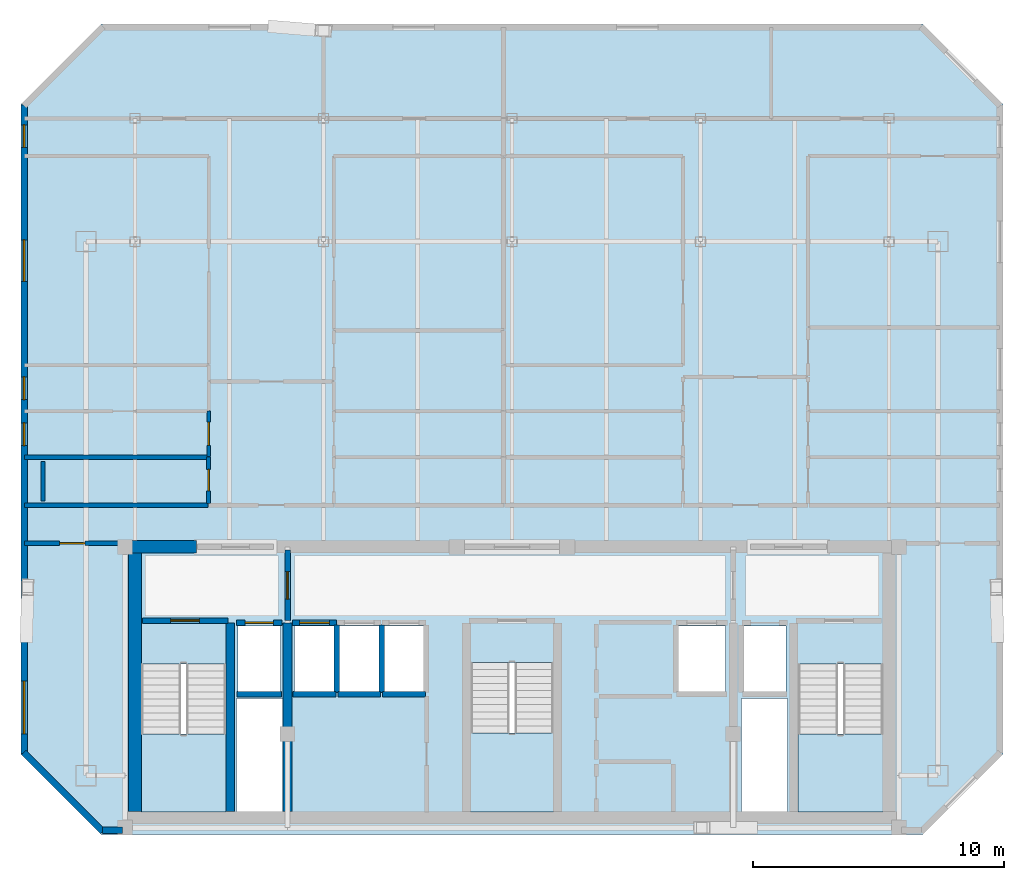
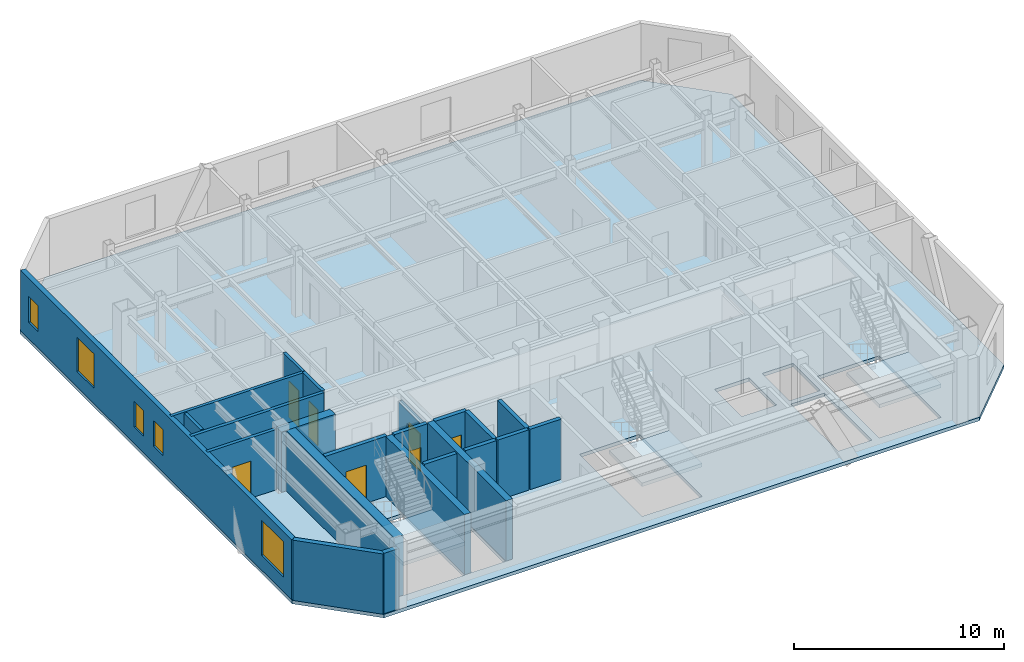
# One storey, part 2 of 7: 23 walls, 7 doors, 5 windows, 4 slabs, 12 openings, 3 elements without a shape of their own.
"""IFC4 building model written with IfcOpenShell, lengths in metres."""

from ifc_helpers import new_model, si_unit, direction, frame, frame_2d, origin, place, context, subcontext, project, spatial, polyline, rectangle, outline, extrude, material, layer, layer_set, type_object, element, fill, aggregate, save


model = new_model("IFC4")

# Units and contexts
model_context = context("Model", 3, precision=1e-05, world=origin(), true_north=direction((0.0, 1.0)))
body_context = subcontext(model_context, "Body", "Model", "MODEL_VIEW")
ifc_project = project(units=[si_unit("LENGTHUNIT", "METRE"), si_unit("AREAUNIT", "SQUARE_METRE"), si_unit("VOLUMEUNIT", "CUBIC_METRE"), si_unit("PLANEANGLEUNIT", "RADIAN"), si_unit("MASSUNIT", "GRAM", prefix="KILO")], contexts=[model_context])

# Site, building, storey
site_placement = place(None, origin())
site = spatial("IfcSite", under=ifc_project, at=site_placement, CompositionType="ELEMENT")
building_placement = place(site_placement, origin())
building = spatial("IfcBuilding", under=site, at=building_placement, Name="Ventersveld Concourse Tower", CompositionType="ELEMENT")
storey_placement = place(building_placement, frame((0.0, 0.0, 328.449951171875)))
storey = spatial("IfcBuildingStorey", under=building, at=storey_placement, Name="L81", CompositionType="ELEMENT", Elevation=328.449951171875)

# Slab
ifc_material_1 = material(Name="Concrete C50/60", Category="concrete")
ifc_layer_1 = layer(ifc_material_1, 0.199951171875)
ifc_layer_set_1 = layer_set([ifc_layer_1], Name="Concrete C50/60")
slab_type_1 = type_object("IfcSlabType", Name="SL-FLR-200", PredefinedType="FLOOR", material=ifc_layer_set_1)
slab_1_placement = place(storey_placement, frame((0.0, 0.0, -0.199951171875)))
element("IfcSlab", 1, at=slab_1_placement, inside=storey, type_object=slab_type_1, Name="L81 Composite Floor Slab", PredefinedType="FLOOR", context=body_context, shape_type="SweptSolid", body=[
    extrude(outline(polyline([(12.40625, 0.0), (45.09375, 0.0), (48.293701171875, 3.199951171875), (48.293701171875, 29.06494140625), (45.09375, 32.264892578125), (12.40625, 32.264892578125), (9.206298828125, 29.06494140625), (9.206298828125, 3.199951171875), (12.40625, 0.0)]), holes=[polyline([(13.97998046875, 6.794921875), (13.97998046875, 0.89990234375), (17.3798828125, 0.89990234375), (17.3798828125, 6.794921875), (13.97998046875, 6.794921875)]), polyline([(40.1201171875, 6.794921875), (40.1201171875, 0.89990234375), (43.52001953125, 0.89990234375), (43.52001953125, 6.794921875), (40.1201171875, 6.794921875)]), polyline([(27.10009765625, 6.844970703125), (27.10009765625, 0.89990234375), (30.39990234375, 0.89990234375), (30.39990234375, 6.844970703125), (27.10009765625, 6.844970703125)]), polyline([(17.85009765625, 5.699951171875), (19.530029296875, 5.699951171875), (19.530029296875, 8.300048828125), (17.85009765625, 8.300048828125), (17.85009765625, 5.699951171875)]), polyline([(37.969970703125, 5.699951171875), (39.64990234375, 5.699951171875), (39.64990234375, 8.300048828125), (37.969970703125, 8.300048828125), (37.969970703125, 5.699951171875)]), polyline([(35.35009765625, 5.699951171875), (37.25, 5.699951171875), (37.25, 8.300048828125), (35.35009765625, 8.300048828125), (35.35009765625, 5.699951171875)]), polyline([(20.090087890625, 5.699951171875), (21.68994140625, 5.699951171875), (21.68994140625, 8.300048828125), (20.090087890625, 8.300048828125), (20.090087890625, 5.699951171875)]), polyline([(21.8701171875, 5.699951171875), (23.469970703125, 5.699951171875), (23.469970703125, 8.300048828125), (21.8701171875, 8.300048828125), (21.8701171875, 5.699951171875)]), polyline([(23.64990234375, 5.699951171875), (25.25, 5.699951171875), (25.25, 8.300048828125), (23.64990234375, 8.300048828125), (23.64990234375, 5.699951171875)]), polyline([(17.780029296875, 0.919921875), (19.6201171875, 0.919921875), (19.6201171875, 5.419921875), (17.780029296875, 5.419921875), (17.780029296875, 0.919921875)]), polyline([(37.8798828125, 0.919921875), (39.719970703125, 0.919921875), (39.719970703125, 5.419921875), (37.8798828125, 5.419921875), (37.8798828125, 0.919921875)])]), origin(), (0.0, 0.0, 1.0), 0.199951171875),
])

# Stair, slab
stair_type_1 = type_object("IfcStairType", Name="ST-DOG-160", PredefinedType="HALF_TURN_STAIR", material=ifc_material_1)
stair_1_placement = place(storey_placement, origin())
stair_1 = element("IfcStair", 2, at=stair_1_placement, inside=storey, type_object=stair_type_1, Name="L81 Protected Tower Escape Stair ST-01", PredefinedType="HALF_TURN_STAIR")
ifc_layer_2 = layer(ifc_material_1, 0.199951171875)
ifc_layer_set_2 = layer_set([ifc_layer_2], Name="Concrete C50/60")
slab_type_2 = type_object("IfcSlabType", Name="SL-LND-200", PredefinedType="LANDING", material=ifc_layer_set_2)
slab_2_placement = place(storey_placement, frame((0.0, 0.0, 1.72509765625)))
slab_2 = element("IfcSlab", 3, at=slab_2_placement, type_object=slab_type_2, Name="ST-01 landing 1", PredefinedType="LANDING", context=body_context, shape_type="SweptSolid", body=[
    extrude(outline(polyline([(13.97998046875, 4.0), (13.97998046875, 0.89990234375), (17.3798828125, 0.89990234375), (17.3798828125, 4.0), (13.97998046875, 4.0)])), origin(), (0.0, 0.0, 1.0), 0.199951171875),
])
aggregate(stair_1, [slab_2])

stair_2_placement = place(storey_placement, origin())
stair_2 = element("IfcStair", 4, at=stair_2_placement, inside=storey, type_object=stair_type_1, Name="L81 Protected Tower Escape Stair ST-02", PredefinedType="HALF_TURN_STAIR")
slab_3_placement = place(storey_placement, frame((0.0, 0.0, 1.72509765625)))
slab_3 = element("IfcSlab", 5, at=slab_3_placement, type_object=slab_type_2, Name="ST-02 landing 1", PredefinedType="LANDING", context=body_context, shape_type="SweptSolid", body=[
    extrude(outline(polyline([(40.1201171875, 4.0), (40.1201171875, 0.89990234375), (43.52001953125, 0.89990234375), (43.52001953125, 4.0), (40.1201171875, 4.0)])), origin(), (0.0, 0.0, 1.0), 0.199951171875),
])
aggregate(stair_2, [slab_3])

stair_type_2 = type_object("IfcStairType", Name="ST-DOG-155", PredefinedType="HALF_TURN_STAIR", material=ifc_material_1)
stair_3_placement = place(storey_placement, origin())
stair_3 = element("IfcStair", 6, at=stair_3_placement, inside=storey, type_object=stair_type_2, Name="L81 Protected Central Core Escape Stair ST-03", PredefinedType="HALF_TURN_STAIR")
slab_4_placement = place(storey_placement, frame((0.0, 0.0, 1.72509765625)))
slab_4 = element("IfcSlab", 7, at=slab_4_placement, type_object=slab_type_2, Name="ST-03 landing 1", PredefinedType="LANDING", context=body_context, shape_type="SweptSolid", body=[
    extrude(outline(polyline([(27.10009765625, 4.050048828125), (27.10009765625, 0.89990234375), (30.39990234375, 0.89990234375), (30.39990234375, 4.050048828125), (27.10009765625, 4.050048828125)])), origin(), (0.0, 0.0, 1.0), 0.199951171875),
])
aggregate(stair_3, [slab_4])

# Walls
ifc_layer_3 = layer(ifc_material_1, 0.35009765625)
ifc_layer_set_3 = layer_set([ifc_layer_3], Name="Concrete C50/60")
wall_type_1 = type_object("IfcWallType", Name="WL-CORE-350U", PredefinedType="SHEAR", material=ifc_layer_set_3)
for number, where, z_axis, x_axis, name in (
    (8, (17.5400390625, 0.919921875, 0.0), (0.0, 0.0, 1.0), (0.0, 1.0, 0.0), "L81 Core Internal Shear Web W-ST1-E"),
    (9, (19.820068359375, 0.919921875, 0.0), (0.0, 0.0, 1.0), (0.0, 1.0, 0.0), "L81 Core Internal Shear Web W-FF1-E"),
):
    element("IfcWall", number, at=place(storey_placement, frame(where, z_axis=z_axis, x_axis=x_axis)), inside=storey, type_object=wall_type_1, Name=name, PredefinedType="SHEAR", context=body_context, shape_type="SweptSolid", body=[
        extrude(rectangle(XDim=7.5, YDim=0.35009765625, at=frame_2d((3.75, 0.0))), origin(), (0.0, 0.0, 1.0), 3.5),
    ])
ifc_layer_4 = layer(ifc_material_1, 0.5)
ifc_layer_set_4 = layer_set([ifc_layer_4], Name="Concrete C50/60")
wall_type_2 = type_object("IfcWallType", Name="WL-CORE-500", PredefinedType="SHEAR", material=ifc_layer_set_4)
wall_1_placement = place(storey_placement, frame((13.75, 0.919921875, 0.0), z_axis=(0.0, 0.0, 1.0), x_axis=(0.0, 1.0, 0.0)))
element("IfcWall", 10, at=wall_1_placement, inside=storey, type_object=wall_type_2, Name="L81 Rear Core West Shear Wall", PredefinedType="SHEAR", context=body_context, shape_type="SweptSolid", body=[
    extrude(rectangle(XDim=10.530029296875, YDim=0.5, at=frame_2d((5.26513671875, 0.0))), origin(), (0.0, 0.0, 1.0), 3.5),
])
wall_2_placement = place(storey_placement, frame((13.25, 11.449951171875, 0.0), z_axis=(0.0, 0.0, 1.0), x_axis=(1.0, 0.0, 0.0)))
element("IfcWall", 11, at=wall_2_placement, inside=storey, type_object=wall_type_2, Name="L81 Rear Core North Shear Wall NW", PredefinedType="SHEAR", context=body_context, shape_type="SweptSolid", body=[
    extrude(rectangle(XDim=2.949951171875, YDim=0.5, at=frame_2d((1.47509765625, 0.0))), origin(), (0.0, 0.0, 1.0), 3.5),
])

# Wall, opening, door
ifc_material_2 = material(Name="Fire-rated autoclaved aerated masonry blockwork", Category="masonry")
ifc_layer_5 = layer(ifc_material_2, 0.179931640625)
ifc_layer_set_5 = layer_set([ifc_layer_5], Name="Fire-rated autoclaved aerated masonry blockwork")
wall_type_3 = type_object("IfcWallType", Name="WL-CORR-180", PredefinedType="PARTITIONING", material=ifc_layer_set_5)
wall_3_placement = place(storey_placement, frame((9.355712890625, 11.60009765625, 0.0), z_axis=(0.0, 0.0, 1.0), x_axis=(1.0, 0.0, 0.0)))
wall_3 = element("IfcWall", 12, at=wall_3_placement, inside=storey, type_object=wall_type_3, Name="L81 Interior Partition SP-L81-SW-GAL-SP-L81-COR", PredefinedType="PARTITIONING", context=body_context, shape_type="SweptSolid", body=[
    extrude(rectangle(XDim=3.789306640625, YDim=0.179931640625, at=frame_2d((1.89453125, 0.0))), origin(), (0.0, 0.0, 1.0), 3.5),
])
opening_1_placement = place(wall_3_placement, frame((1.39453125, 0.0, 0.0)))
opening_1 = element("IfcOpeningElement", 13, at=opening_1_placement, cuts=wall_3, Name="Opening FD3", PredefinedType="OPENING", context=body_context, shape_type="SweptSolid", body=[
    extrude(rectangle(XDim=1.0, YDim=2.14990234375, at=frame_2d((0.5, 1.074951171875))), frame((0.0, 0.10009765625, 0.0), z_axis=(0.0, -1.0, 0.0), x_axis=(1.0, 0.0, 0.0)), (0.0, 0.0, 1.0), 0.199951171875),
])
ifc_material_3 = material(Name="Solid-core hardwood veneer timber", Category="wood")
door_type_1 = type_object("IfcDoorType", Name="DR-FLAT-100", OperationType="NOTDEFINED", PredefinedType="DOOR", material=ifc_material_3)
door_1_placement = place(opening_1_placement, origin())
door_1 = element("IfcDoor", 14, at=door_1_placement, inside=storey, type_object=door_type_1, Name="L81 Interior Door SP-L81-SW-GAL to SP-L81-COR (D-L81-3678)", OperationType="SINGLE_SWING_RIGHT", OverallHeight=2.14990234375, OverallWidth=1.0, PredefinedType="DOOR", context=body_context, shape_type="SweptSolid", body=[
    extrude(rectangle(XDim=1.0, YDim=2.14990234375, at=frame_2d((0.5, 1.074951171875))), frame((0.0, 0.02490234375, 0.0), z_axis=(0.0, -1.0, 0.0), x_axis=(1.0, 0.0, 0.0)), (0.0, 0.0, 1.0), 0.050048828125),
])
fill(opening_1, door_1)

# Walls
wall_4_placement = place(storey_placement, frame((9.355712890625, 13.114990234375, 0.0), z_axis=(0.0, 0.0, 1.0), x_axis=(1.0, 0.0, 0.0)))
element("IfcWall", 15, at=wall_4_placement, inside=storey, type_object=wall_type_3, Name="L81 Interior Partition SP-L81-COR-SP-L81-81N1-BATH", PredefinedType="PARTITIONING", context=body_context, shape_type="SweptSolid", body=[
    extrude(rectangle(XDim=7.2890625, YDim=0.179931640625, at=frame_2d((3.64453125, 0.0))), origin(), (0.0, 0.0, 1.0), 3.5),
])
ifc_layer_6 = layer(ifc_material_2, 0.219970703125)
ifc_layer_set_6 = layer_set([ifc_layer_6], Name="Fire-rated autoclaved aerated masonry blockwork")
wall_type_4 = type_object("IfcWallType", Name="WL-HOIST-220", PredefinedType="SOLIDWALL", material=ifc_layer_set_6)
wall_5_placement = place(storey_placement, frame((17.800048828125, 5.590087890625, 0.0), z_axis=(0.0, 0.0, 1.0), x_axis=(1.0, 0.0, 0.0)))
element("IfcWall", 16, at=wall_5_placement, inside=storey, type_object=wall_type_4, Name="L81 Lift Hoistway Back Wall FFL-01", PredefinedType="SOLIDWALL", context=body_context, shape_type="SweptSolid", body=[
    extrude(rectangle(XDim=1.780029296875, YDim=0.219970703125, at=frame_2d((0.89013671875, 0.0))), origin(), (0.0, 0.0, 1.0), 3.5),
])

# Wall, opening, door
wall_6_placement = place(storey_placement, frame((17.780029296875, 8.429931640625, 0.0), z_axis=(0.0, 0.0, 1.0), x_axis=(1.0, 0.0, 0.0)))
wall_6 = element("IfcWall", 17, at=wall_6_placement, inside=storey, type_object=wall_type_4, Name="L81 Lift Hoistway Front Wall FFL-01", PredefinedType="SOLIDWALL", context=body_context, shape_type="SweptSolid", body=[
    extrude(rectangle(XDim=1.820068359375, YDim=0.219970703125, at=frame_2d((0.91015625, 0.0))), origin(), (0.0, 0.0, 1.0), 3.5),
])
opening_2_placement = place(wall_6_placement, frame((0.35009765625, 0.0, 0.0)))
opening_2 = element("IfcOpeningElement", 18, at=opening_2_placement, cuts=wall_6, Name="Opening LD1", PredefinedType="OPENING", context=body_context, shape_type="SweptSolid", body=[
    extrude(rectangle(XDim=1.1201171875, YDim=2.25, at=frame_2d((0.56005859375, 1.125))), frame((0.0, 0.1201171875, 0.0), z_axis=(0.0, -1.0, 0.0), x_axis=(1.0, 0.0, 0.0)), (0.0, 0.0, 1.0), 0.239990234375),
])
ifc_material_4 = material(Name="Brushed stainless steel 316", Category="steel")
door_type_2 = type_object("IfcDoorType", Name="LD-FF-112", OperationType="SLIDING_TO_LEFT", PredefinedType="DOOR", material=ifc_material_4)
door_2_placement = place(opening_2_placement, origin())
door_2 = element("IfcDoor", 19, at=door_2_placement, inside=storey, type_object=door_type_2, Name="L81 Lift landing door FFL-01 (LD-L81-FFL-01)", OperationType="SLIDING_TO_RIGHT", OverallHeight=2.25, OverallWidth=1.1201171875, PredefinedType="DOOR", context=body_context, shape_type="SweptSolid", body=[
    extrude(rectangle(XDim=1.1201171875, YDim=2.25, at=frame_2d((0.56005859375, 1.125))), frame((0.0, 0.02490234375, 0.0), z_axis=(0.0, -1.0, 0.0), x_axis=(1.0, 0.0, 0.0)), (0.0, 0.0, 1.0), 0.050048828125),
])
fill(opening_2, door_2)

# Walls
wall_7_placement = place(storey_placement, frame((20.0400390625, 5.590087890625, 0.0), z_axis=(0.0, 0.0, 1.0), x_axis=(1.0, 0.0, 0.0)))
element("IfcWall", 20, at=wall_7_placement, inside=storey, type_object=wall_type_4, Name="L81 Lift Hoistway Back Wall PH-01", PredefinedType="SOLIDWALL", context=body_context, shape_type="SweptSolid", body=[
    extrude(rectangle(XDim=1.699951171875, YDim=0.219970703125, at=frame_2d((0.85009765625, 0.0))), origin(), (0.0, 0.0, 1.0), 3.5),
])
wall_8_placement = place(storey_placement, frame((21.780029296875, 5.64990234375, 0.0), z_axis=(0.0, 0.0, 1.0), x_axis=(0.0, 1.0, 0.0)))
element("IfcWall", 21, at=wall_8_placement, inside=storey, type_object=wall_type_4, Name="L81 Lift Hoistway Side Wall PH-01E", PredefinedType="SOLIDWALL", context=body_context, shape_type="SweptSolid", body=[
    extrude(rectangle(XDim=2.7001953125, YDim=0.219970703125, at=frame_2d((1.35009765625, 0.0))), origin(), (0.0, 0.0, 1.0), 3.5),
])

# Wall, opening, door
wall_9_placement = place(storey_placement, frame((20.02001953125, 8.429931640625, 0.0), z_axis=(0.0, 0.0, 1.0), x_axis=(1.0, 0.0, 0.0)))
wall_9 = element("IfcWall", 22, at=wall_9_placement, inside=storey, type_object=wall_type_4, Name="L81 Lift Hoistway Front Wall PH-01", PredefinedType="SOLIDWALL", context=body_context, shape_type="SweptSolid", body=[
    extrude(rectangle(XDim=1.739990234375, YDim=0.219970703125, at=frame_2d((0.8701171875, 0.0))), origin(), (0.0, 0.0, 1.0), 3.5),
])
opening_3_placement = place(wall_9_placement, frame((0.280029296875, 0.0, 0.0)))
opening_3 = element("IfcOpeningElement", 23, at=opening_3_placement, cuts=wall_9, Name="Opening LD2", PredefinedType="OPENING", context=body_context, shape_type="SweptSolid", body=[
    extrude(rectangle(XDim=1.179931640625, YDim=2.199951171875, at=frame_2d((0.58984375, 1.10009765625))), frame((0.0, 0.1201171875, 0.0), z_axis=(0.0, -1.0, 0.0), x_axis=(1.0, 0.0, 0.0)), (0.0, 0.0, 1.0), 0.239990234375),
])
door_type_3 = type_object("IfcDoorType", Name="LD-PAX-118", OperationType="SLIDING_TO_LEFT", PredefinedType="DOOR", material=ifc_material_4)
door_3_placement = place(opening_3_placement, origin())
door_3 = element("IfcDoor", 24, at=door_3_placement, inside=storey, type_object=door_type_3, Name="L81 Lift landing door PH-01 (LD-L81-PH-01)", OperationType="SLIDING_TO_LEFT", OverallHeight=2.199951171875, OverallWidth=1.179931640625, PredefinedType="DOOR", context=body_context, shape_type="SweptSolid", body=[
    extrude(rectangle(XDim=1.179931640625, YDim=2.199951171875, at=frame_2d((0.58984375, 1.10009765625))), frame((0.0, 0.02490234375, 0.0), z_axis=(0.0, -1.0, 0.0), x_axis=(1.0, 0.0, 0.0)), (0.0, 0.0, 1.0), 0.050048828125),
])
fill(opening_3, door_3)

# Walls
wall_10_placement = place(storey_placement, frame((21.820068359375, 5.590087890625, 0.0), z_axis=(0.0, 0.0, 1.0), x_axis=(1.0, 0.0, 0.0)))
element("IfcWall", 25, at=wall_10_placement, inside=storey, type_object=wall_type_4, Name="L81 Lift Hoistway Back Wall PH-02", PredefinedType="SOLIDWALL", context=body_context, shape_type="SweptSolid", body=[
    extrude(rectangle(XDim=1.699951171875, YDim=0.219970703125, at=frame_2d((0.85009765625, 0.0))), origin(), (0.0, 0.0, 1.0), 3.5),
])
wall_11_placement = place(storey_placement, frame((23.56005859375, 5.64990234375, 0.0), z_axis=(0.0, 0.0, 1.0), x_axis=(0.0, 1.0, 0.0)))
element("IfcWall", 26, at=wall_11_placement, inside=storey, type_object=wall_type_4, Name="L81 Lift Hoistway Side Wall PH-02E", PredefinedType="SOLIDWALL", context=body_context, shape_type="SweptSolid", body=[
    extrude(rectangle(XDim=2.7001953125, YDim=0.219970703125, at=frame_2d((1.35009765625, 0.0))), origin(), (0.0, 0.0, 1.0), 3.5),
])
wall_12_placement = place(storey_placement, frame((23.60009765625, 5.590087890625, 0.0), z_axis=(0.0, 0.0, 1.0), x_axis=(1.0, 0.0, 0.0)))
element("IfcWall", 27, at=wall_12_placement, inside=storey, type_object=wall_type_4, Name="L81 Lift Hoistway Back Wall PH-03", PredefinedType="SOLIDWALL", context=body_context, shape_type="SweptSolid", body=[
    extrude(rectangle(XDim=1.699951171875, YDim=0.219970703125, at=frame_2d((0.85009765625, 0.0))), origin(), (0.0, 0.0, 1.0), 3.5),
])

# Wall, opening, door
wall_13_placement = place(storey_placement, frame((14.0400390625, 8.52001953125, 0.0), z_axis=(0.0, 0.0, 1.0), x_axis=(1.0, 0.0, 0.0)))
wall_13 = element("IfcWall", 28, at=wall_13_placement, inside=storey, type_object=wall_type_4, Name="L81 Escape Stair ST01 Fire Wall", PredefinedType="SOLIDWALL", context=body_context, shape_type="SweptSolid", body=[
    extrude(rectangle(XDim=3.39990234375, YDim=0.219970703125, at=frame_2d((1.699951171875, 0.0))), origin(), (0.0, 0.0, 1.0), 3.5),
])
opening_4_placement = place(wall_13_placement, frame((1.125, 0.0, 0.0)))
opening_4 = element("IfcOpeningElement", 29, at=opening_4_placement, cuts=wall_13, Name="Opening FD1", PredefinedType="OPENING", context=body_context, shape_type="SweptSolid", body=[
    extrude(rectangle(XDim=1.14990234375, YDim=2.199951171875, at=frame_2d((0.574951171875, 1.10009765625))), frame((0.0, 0.1201171875, 0.0), z_axis=(0.0, -1.0, 0.0), x_axis=(1.0, 0.0, 0.0)), (0.0, 0.0, 1.0), 0.239990234375),
])
ifc_material_5 = material(Name="Galvanised painted steel", Category="steel")
door_type_4 = type_object("IfcDoorType", Name="DR-STAIR-115", OperationType="NOTDEFINED", PredefinedType="DOOR", material=ifc_material_5)
door_4_placement = place(opening_4_placement, origin())
door_4 = element("IfcDoor", 30, at=door_4_placement, inside=storey, type_object=door_type_4, Name="L81 Escape Stair Door ST01 (SD-L81-3666)", OperationType="SINGLE_SWING_LEFT", OverallHeight=2.199951171875, OverallWidth=1.14990234375, PredefinedType="DOOR", context=body_context, shape_type="SweptSolid", body=[
    extrude(rectangle(XDim=1.14990234375, YDim=2.199951171875, at=frame_2d((0.574951171875, 1.10009765625))), frame((0.0, 0.02490234375, 0.0), z_axis=(0.0, -1.0, 0.0), x_axis=(1.0, 0.0, 0.0)), (0.0, 0.0, 1.0), 0.050048828125),
])
fill(opening_4, door_4)

wall_14_placement = place(storey_placement, frame((19.820068359375, 8.52001953125, 0.0), z_axis=(0.0, 0.0, 1.0), x_axis=(0.0, 1.0, 0.0)))
wall_14 = element("IfcWall", 31, at=wall_14_placement, inside=storey, type_object=wall_type_4, Name="L81 Firefighting Lobby Smoke-Stop Wall FFLW-SEP", PredefinedType="SOLIDWALL", context=body_context, shape_type="SweptSolid", body=[
    extrude(rectangle(XDim=2.800048828125, YDim=0.219970703125, at=frame_2d((1.39990234375, 0.0))), origin(), (0.0, 0.0, 1.0), 2.95556640625),
])
opening_5_placement = place(wall_14_placement, frame((0.85009765625, 0.0, 0.0)))
opening_5 = element("IfcOpeningElement", 32, at=opening_5_placement, cuts=wall_14, Name="Opening FD2", PredefinedType="OPENING", context=body_context, shape_type="SweptSolid", body=[
    extrude(rectangle(XDim=1.10009765625, YDim=2.199951171875, at=frame_2d((0.550048828125, 1.10009765625))), frame((0.0, 0.1201171875, 0.0), z_axis=(0.0, -1.0, 0.0), x_axis=(1.0, 0.0, 0.0)), (0.0, 0.0, 1.0), 0.239990234375),
])
door_type_5 = type_object("IfcDoorType", Name="DR-FFL-110", OperationType="NOTDEFINED", PredefinedType="DOOR", material=ifc_material_5)
door_5_placement = place(opening_5_placement, origin())
door_5 = element("IfcDoor", 33, at=door_5_placement, inside=storey, type_object=door_type_5, Name="L81 Firefighting Lobby Door FFLW-SEP (FD-L81-3669)", OperationType="SINGLE_SWING_LEFT", OverallHeight=2.199951171875, OverallWidth=1.10009765625, PredefinedType="DOOR", context=body_context, shape_type="SweptSolid", body=[
    extrude(rectangle(XDim=1.10009765625, YDim=2.199951171875, at=frame_2d((0.550048828125, 1.10009765625))), frame((0.0, 0.02490234375, 0.0), z_axis=(0.0, -1.0, 0.0), x_axis=(1.0, 0.0, 0.0)), (0.0, 0.0, 1.0), 0.050048828125),
])
fill(opening_5, door_5)

ifc_material_6 = material(Name="Autoclaved aerated masonry blockwork", Category="masonry")
ifc_layer_7 = layer(ifc_material_6, 0.14990234375)
ifc_layer_set_7 = layer_set([ifc_layer_7], Name="Autoclaved aerated masonry blockwork")
wall_type_5 = type_object("IfcWallType", Name="WL-INT-150", PredefinedType="PARTITIONING", material=ifc_layer_set_7)
wall_15_placement = place(storey_placement, frame((16.6796875, 15.054931640625, 0.0), z_axis=(0.0, 0.0, 1.0), x_axis=(0.0, 1.0, 0.0)))
wall_15 = element("IfcWall", 34, at=wall_15_placement, inside=storey, type_object=wall_type_5, Name="L81 Interior Partition SP-L81-81N1-FOY-SP-L81-81N1-PANL0", PredefinedType="PARTITIONING", context=body_context, shape_type="SweptSolid", body=[
    extrude(rectangle(XDim=1.800048828125, YDim=0.14990234375, at=frame_2d((0.89990234375, 0.0))), origin(), (0.0, 0.0, 1.0), 3.5),
])
opening_6_placement = place(wall_15_placement, frame((0.43994140625, 0.0, 0.0)))
opening_6 = element("IfcOpeningElement", 35, at=opening_6_placement, cuts=wall_15, Name="Opening ID1", PredefinedType="OPENING", context=body_context, shape_type="SweptSolid", body=[
    extrude(rectangle(XDim=0.919921875, YDim=2.10009765625, at=frame_2d((0.4599609375, 1.050048828125))), frame((0.0, 0.0849609375, 0.0), z_axis=(0.0, -1.0, 0.0), x_axis=(1.0, 0.0, 0.0)), (0.0, 0.0, 1.0), 0.169921875),
])
door_type_6 = type_object("IfcDoorType", Name="DR-ROOM-092", OperationType="NOTDEFINED", PredefinedType="DOOR", material=ifc_material_3)
door_6_placement = place(opening_6_placement, origin())
door_6 = element("IfcDoor", 36, at=door_6_placement, inside=storey, type_object=door_type_6, Name="L81 Interior Door SP-L81-81N1-FOY to SP-L81-81N1-PANL0 (D-L81-3684)", OperationType="SINGLE_SWING_RIGHT", OverallHeight=2.10009765625, OverallWidth=0.919921875, PredefinedType="DOOR", context=body_context, shape_type="SweptSolid", body=[
    extrude(rectangle(XDim=0.919921875, YDim=2.10009765625, at=frame_2d((0.4599609375, 1.050048828125))), frame((0.0, 0.02490234375, 0.0), z_axis=(0.0, -1.0, 0.0), x_axis=(1.0, 0.0, 0.0)), (0.0, 0.0, 1.0), 0.050048828125),
])
fill(opening_6, door_6)

# Wall
ifc_material_7 = material(Name="Precast concrete C45/55", Category="concrete")
ifc_layer_8 = layer(ifc_material_7, 0.260009765625)
ifc_layer_set_8 = layer_set([ifc_layer_8], Name="Precast concrete C45/55")
wall_type_6 = type_object("IfcWallType", Name="WL-PREC-260", PredefinedType="SOLIDWALL", material=ifc_layer_set_8)
wall_16_placement = place(storey_placement, frame((12.4462890625, 0.179931640625, 0.0), z_axis=(0.0, 0.0, 1.0), x_axis=(1.0, 0.0, 0.0)))
element("IfcWall", 37, at=wall_16_placement, inside=storey, type_object=wall_type_6, Name="L81 South-West Flank Precast Wall", PredefinedType="SOLIDWALL", context=body_context, shape_type="SweptSolid", body=[
    extrude(rectangle(XDim=0.8037109375, YDim=0.260009765625, at=frame_2d((0.40185546875, 0.0))), origin(), (0.0, 0.0, 1.0), 3.5),
])

# Wall, openings, windows
wall_17_placement = place(storey_placement, frame((9.336181640625, 29.02490234375, 0.0), z_axis=(0.0, 0.0, 1.0), x_axis=(0.0, -1.0, 0.0)))
wall_17 = element("IfcWall", 38, at=wall_17_placement, inside=storey, type_object=wall_type_6, Name="L81 Highveld Precast Facade Wall E07", PredefinedType="SOLIDWALL", context=body_context, shape_type="SweptSolid", body=[
    extrude(rectangle(XDim=25.784912109375, YDim=0.260009765625, at=frame_2d((12.892578125, 0.0))), origin(), (0.0, 0.0, 1.0), 3.5),
])
opening_7_placement = place(wall_17_placement, frame((22.9150390625, 0.0, 0.85009765625)))
opening_7 = element("IfcOpeningElement", 39, at=opening_7_placement, cuts=wall_17, Name="Opening W7", PredefinedType="OPENING", context=body_context, shape_type="SweptSolid", body=[
    extrude(rectangle(XDim=2.10009765625, YDim=2.050048828125, at=frame_2d((1.050048828125, 1.02490234375))), frame((0.0, 0.14013671875, 0.0), z_axis=(0.0, -1.0, 0.0), x_axis=(1.0, 0.0, 0.0)), (0.0, 0.0, 1.0), 0.280029296875),
])
opening_8_placement = place(wall_17_placement, frame((0.780029296875, 0.0, 0.949951171875)))
opening_8 = element("IfcOpeningElement", 40, at=opening_8_placement, cuts=wall_17, Name="Opening W4", PredefinedType="OPENING", context=body_context, shape_type="SweptSolid", body=[
    extrude(rectangle(XDim=0.89990234375, YDim=1.5, at=frame_2d((0.449951171875, 0.75))), frame((0.0, 0.14013671875, 0.0), z_axis=(0.0, -1.0, 0.0), x_axis=(1.0, 0.0, 0.0)), (0.0, 0.0, 1.0), 0.280029296875),
])
opening_9_placement = place(wall_17_placement, frame((12.639892578125, 0.0, 0.949951171875)))
opening_9 = element("IfcOpeningElement", 41, at=opening_9_placement, cuts=wall_17, Name="Opening W4", PredefinedType="OPENING", context=body_context, shape_type="SweptSolid", body=[
    extrude(rectangle(XDim=0.89990234375, YDim=1.5, at=frame_2d((0.449951171875, 0.75))), frame((0.0, 0.14013671875, 0.0), z_axis=(0.0, -1.0, 0.0), x_axis=(1.0, 0.0, 0.0)), (0.0, 0.0, 1.0), 0.280029296875),
])
opening_10_placement = place(wall_17_placement, frame((10.81005859375, 0.0, 0.949951171875)))
opening_10 = element("IfcOpeningElement", 42, at=opening_10_placement, cuts=wall_17, Name="Opening W4", PredefinedType="OPENING", context=body_context, shape_type="SweptSolid", body=[
    extrude(rectangle(XDim=0.89990234375, YDim=1.5, at=frame_2d((0.449951171875, 0.75))), frame((0.0, 0.14013671875, 0.0), z_axis=(0.0, -1.0, 0.0), x_axis=(1.0, 0.0, 0.0)), (0.0, 0.0, 1.0), 0.280029296875),
])
opening_11_placement = place(wall_17_placement, frame((5.360107421875, 0.0, 0.8798828125)))
opening_11 = element("IfcOpeningElement", 43, at=opening_11_placement, cuts=wall_17, Name="Opening W6", PredefinedType="OPENING", context=body_context, shape_type="SweptSolid", body=[
    extrude(rectangle(XDim=1.64990234375, YDim=2.0, at=frame_2d((0.824951171875, 1.0))), frame((0.0, 0.14013671875, 0.0), z_axis=(0.0, -1.0, 0.0), x_axis=(1.0, 0.0, 0.0)), (0.0, 0.0, 1.0), 0.280029296875),
])
ifc_material_8 = material(Name="Tempered acoustic Low-E IGU", Category="glass")
window_type_1 = type_object("IfcWindowType", Name="WIN-090x150", PartitioningType="SINGLE_PANEL", PredefinedType="WINDOW", material=ifc_material_8)
window_1_placement = place(opening_8_placement, origin())
window_1 = element("IfcWindow", 44, at=window_1_placement, inside=storey, type_object=window_type_1, Name="L81 Punched Low-E Window W-1145", OverallHeight=1.5, OverallWidth=0.89990234375, PartitioningType="SINGLE_PANEL", PredefinedType="WINDOW", context=body_context, shape_type="SweptSolid", body=[
    extrude(rectangle(XDim=0.89990234375, YDim=1.5, at=frame_2d((0.449951171875, 0.75))), frame((0.0, 0.030029296875, 0.0), z_axis=(0.0, -1.0, 0.0), x_axis=(1.0, 0.0, 0.0)), (0.0, 0.0, 1.0), 0.06005859375),
])
fill(opening_8, window_1)
window_2_placement = place(opening_9_placement, origin())
window_2 = element("IfcWindow", 45, at=window_2_placement, inside=storey, type_object=window_type_1, Name="L81 Punched Low-E Window W-1146", OverallHeight=1.5, OverallWidth=0.89990234375, PartitioningType="SINGLE_PANEL", PredefinedType="WINDOW", context=body_context, shape_type="SweptSolid", body=[
    extrude(rectangle(XDim=0.89990234375, YDim=1.5, at=frame_2d((0.449951171875, 0.75))), frame((0.0, 0.030029296875, 0.0), z_axis=(0.0, -1.0, 0.0), x_axis=(1.0, 0.0, 0.0)), (0.0, 0.0, 1.0), 0.06005859375),
])
fill(opening_9, window_2)
window_3_placement = place(opening_10_placement, origin())
window_3 = element("IfcWindow", 46, at=window_3_placement, inside=storey, type_object=window_type_1, Name="L81 Punched Low-E Window W-1147", OverallHeight=1.5, OverallWidth=0.89990234375, PartitioningType="SINGLE_PANEL", PredefinedType="WINDOW", context=body_context, shape_type="SweptSolid", body=[
    extrude(rectangle(XDim=0.89990234375, YDim=1.5, at=frame_2d((0.449951171875, 0.75))), frame((0.0, 0.030029296875, 0.0), z_axis=(0.0, -1.0, 0.0), x_axis=(1.0, 0.0, 0.0)), (0.0, 0.0, 1.0), 0.06005859375),
])
fill(opening_10, window_3)
window_type_2 = type_object("IfcWindowType", Name="WIN-165x200", PartitioningType="SINGLE_PANEL", PredefinedType="WINDOW", material=ifc_material_8)
window_4_placement = place(opening_11_placement, origin())
window_4 = element("IfcWindow", 47, at=window_4_placement, inside=storey, type_object=window_type_2, Name="L81 Punched Low-E Window W-1148", OverallHeight=2.0, OverallWidth=1.64990234375, PartitioningType="SINGLE_PANEL", PredefinedType="WINDOW", context=body_context, shape_type="SweptSolid", body=[
    extrude(rectangle(XDim=1.64990234375, YDim=2.0, at=frame_2d((0.824951171875, 1.0))), frame((0.0, 0.030029296875, 0.0), z_axis=(0.0, -1.0, 0.0), x_axis=(1.0, 0.0, 0.0)), (0.0, 0.0, 1.0), 0.06005859375),
])
fill(opening_11, window_4)
window_type_3 = type_object("IfcWindowType", Name="WIN-210x205", PartitioningType="SINGLE_PANEL", PredefinedType="WINDOW", material=ifc_material_8)
window_5_placement = place(opening_7_placement, origin())
window_5 = element("IfcWindow", 48, at=window_5_placement, inside=storey, type_object=window_type_3, Name="L81 Punched Low-E Window W-1143", OverallHeight=2.050048828125, OverallWidth=2.10009765625, PartitioningType="SINGLE_PANEL", PredefinedType="WINDOW", context=body_context, shape_type="SweptSolid", body=[
    extrude(rectangle(XDim=2.10009765625, YDim=2.050048828125, at=frame_2d((1.050048828125, 1.02490234375))), frame((0.0, 0.030029296875, 0.0), z_axis=(0.0, -1.0, 0.0), x_axis=(1.0, 0.0, 0.0)), (0.0, 0.0, 1.0), 0.06005859375),
])
fill(opening_7, window_5)

# Wall
wall_18_placement = place(storey_placement, frame((9.326416015625, 3.263671875, 0.0), z_axis=(0.0, 0.0, 1.0), x_axis=(0.707079321262, -0.707134240044, 0.0)))
element("IfcWall", 49, at=wall_18_placement, inside=storey, type_object=wall_type_6, Name="L81 Highveld Precast Facade Wall E08", PredefinedType="SOLIDWALL", context=body_context, shape_type="SweptSolid", body=[
    extrude(rectangle(XDim=4.445556640625, YDim=0.260009765625, at=frame_2d((2.22265625, 0.0))), origin(), (0.0, 0.0, 1.0), 3.5),
])

# Wall, opening, door
ifc_layer_9 = layer(ifc_material_6, 0.1650390625)
ifc_layer_set_9 = layer_set([ifc_layer_9], Name="Autoclaved aerated masonry blockwork")
wall_type_7 = type_object("IfcWallType", Name="WL-WET-165", PredefinedType="PLUMBINGWALL", material=ifc_layer_set_9)
wall_19_placement = place(storey_placement, frame((16.6796875, 13.18505859375, 0.0), z_axis=(0.0, 0.0, 1.0), x_axis=(0.0, 1.0, 0.0)))
wall_19 = element("IfcWall", 50, at=wall_19_placement, inside=storey, type_object=wall_type_7, Name="L81 Interior Partition SP-L81-81N1-FOY-SP-L81-81N1-BATH", PredefinedType="PLUMBINGWALL", context=body_context, shape_type="SweptSolid", body=[
    extrude(rectangle(XDim=1.83984375, YDim=0.1650390625, at=frame_2d((0.919921875, 0.0))), origin(), (0.0, 0.0, 1.0), 3.5),
])
opening_12_placement = place(wall_19_placement, frame((0.4951171875, 0.0, 0.0)))
opening_12 = element("IfcOpeningElement", 51, at=opening_12_placement, cuts=wall_19, Name="Opening ID2", PredefinedType="OPENING", context=body_context, shape_type="SweptSolid", body=[
    extrude(rectangle(XDim=0.85009765625, YDim=2.10009765625, at=frame_2d((0.425048828125, 1.050048828125))), frame((0.0, 0.092529296875, 0.0), z_axis=(0.0, -1.0, 0.0), x_axis=(1.0, 0.0, 0.0)), (0.0, 0.0, 1.0), 0.18505859375),
])
door_type_7 = type_object("IfcDoorType", Name="DR-BATH-085", OperationType="NOTDEFINED", PredefinedType="DOOR", material=ifc_material_3)
door_7_placement = place(opening_12_placement, origin())
door_7 = element("IfcDoor", 52, at=door_7_placement, inside=storey, type_object=door_type_7, Name="L81 Interior Door SP-L81-81N1-FOY to SP-L81-81N1-BATH (D-L81-3683)", OperationType="SINGLE_SWING_LEFT", OverallHeight=2.10009765625, OverallWidth=0.85009765625, PredefinedType="DOOR", context=body_context, shape_type="SweptSolid", body=[
    extrude(rectangle(XDim=0.85009765625, YDim=2.10009765625, at=frame_2d((0.425048828125, 1.050048828125))), frame((0.0, 0.02490234375, 0.0), z_axis=(0.0, -1.0, 0.0), x_axis=(1.0, 0.0, 0.0)), (0.0, 0.0, 1.0), 0.050048828125),
])
fill(opening_12, door_7)

# Walls
wall_20_placement = place(storey_placement, frame((9.355712890625, 15.02001953125, 0.0), z_axis=(0.0, 0.0, 1.0), x_axis=(1.0, 0.0, 0.0)))
element("IfcWall", 53, at=wall_20_placement, inside=storey, type_object=wall_type_7, Name="L81 Interior Partition SP-L81-81N1-BATH-SP-L81-81N1-PANL0", PredefinedType="PLUMBINGWALL", context=body_context, shape_type="SweptSolid", body=[
    extrude(rectangle(XDim=7.3291015625, YDim=0.1650390625, at=frame_2d((3.66455078125, 0.0))), origin(), (0.0, 0.0, 1.0), 3.5),
])
wall_21_placement = place(storey_placement, frame((10.086181640625, 13.280029296875, 0.0), z_axis=(0.0, 0.0, 1.0), x_axis=(0.0, 1.0, 0.0)))
element("IfcWall", 54, at=wall_21_placement, inside=storey, type_object=wall_type_7, Name="L81 Room Enclosure Wall SP-L81-81N1-BATH", PredefinedType="PLUMBINGWALL", context=body_context, shape_type="SweptSolid", body=[
    extrude(rectangle(XDim=1.574951171875, YDim=0.1650390625, at=frame_2d((0.78759765625, 0.0))), origin(), (0.0, 0.0, 1.0), 3.5),
])

save(model, "model.ifc")
